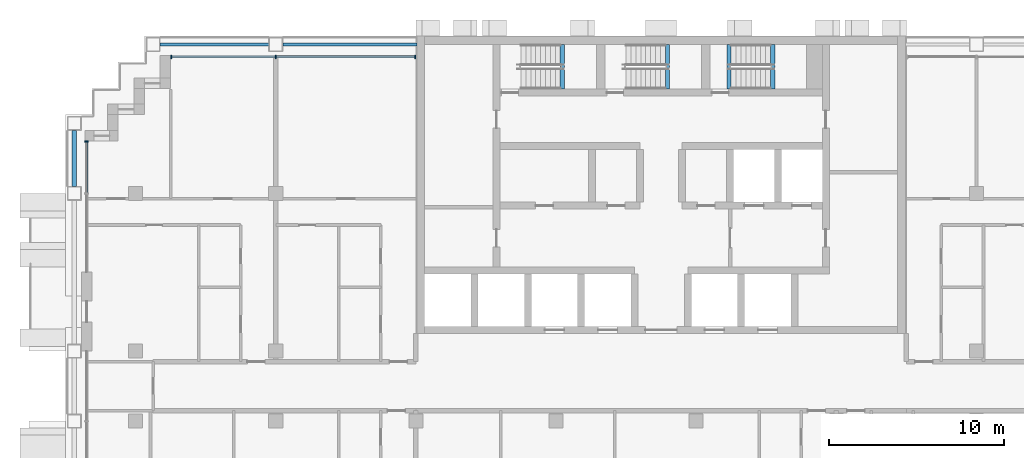
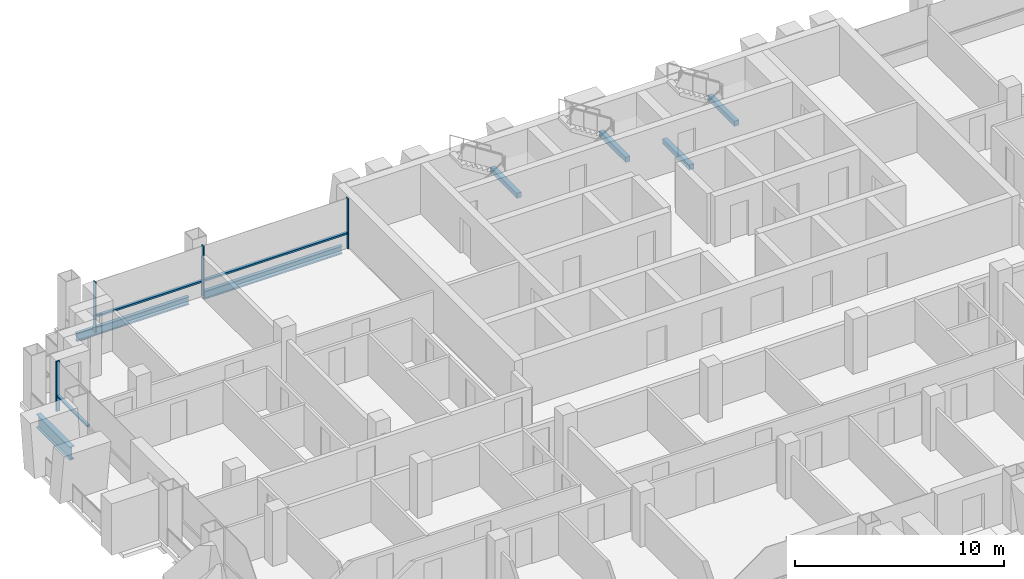
# One storey, part 4 of 18: 7 beams, 7 members, 2 elements without a shape of their own.
"""IFC4 building model written with IfcOpenShell, lengths in metres."""

from ifc_helpers import new_model, si_unit, direction, frame, origin, origin_2d, place, context, subcontext, project, spatial, rectangle, i_section, extrude, material, material_profile, profile_set, type_object, element, aggregate, save


model = new_model("IFC4")

# Units and contexts
model_context = context("Model", 3, precision=1e-05, world=origin(), true_north=direction((0.0, 1.0)))
body_context = subcontext(model_context, "Body", "Model", "MODEL_VIEW")
ifc_project = project(units=[si_unit("LENGTHUNIT", "METRE"), si_unit("AREAUNIT", "SQUARE_METRE"), si_unit("VOLUMEUNIT", "CUBIC_METRE"), si_unit("PLANEANGLEUNIT", "RADIAN"), si_unit("MASSUNIT", "GRAM", prefix="KILO")], contexts=[model_context])

# Site, building, storey
site_placement = place(None, origin())
site = spatial("IfcSite", under=ifc_project, at=site_placement, CompositionType="ELEMENT")
building_placement = place(site_placement, origin())
building = spatial("IfcBuilding", under=site, at=building_placement, Name="Vidyagriha Tower", CompositionType="ELEMENT")
storey_placement = place(building_placement, frame((0.0, 0.0, 142.199951171875)))
storey = spatial("IfcBuildingStorey", under=building, at=storey_placement, Name="L37", CompositionType="ELEMENT", Elevation=142.199951171875)

# Beams
ifc_material_1 = material(Name="Steel ASTM A992 Grade 50", Category="steel")
ifc_material_profile_1 = material_profile(ifc_material_1, i_section(OverallWidth=0.2666015625, OverallDepth=0.76953125, WebThickness=0.015625, FlangeThickness=0.025390625, at=origin_2d()), Name="W30X132")
ifc_profile_set_1 = profile_set([ifc_material_profile_1], Name="Steel ASTM A992 Grade 50")
beam_type_1 = type_object("IfcBeamType", Name="Cantilever edge beam W30X132", PredefinedType="SPANDREL", material=ifc_profile_set_1)
beam_1_placement = place(storey_placement, frame((-33.5, 11.39990234375, -0.664794921875), z_axis=(0.0, 1.0, 0.0), x_axis=(-1.0, 0.0, 0.0)))
element("IfcBeam", 1, at=beam_1_placement, inside=storey, type_object=beam_type_1, Name="st-beam-L37-W13", PredefinedType="SPANDREL", context=body_context, shape_type="SweptSolid", body=[
    extrude(i_section(OverallWidth=0.2666015625, OverallDepth=0.76953125, WebThickness=0.015625, FlangeThickness=0.025390625, at=origin_2d()), origin(), (0.0, 0.0, 1.0), 3.2001953125),
])
ifc_material_2 = material(Name="Steel ASTM A992 Grade 50", Category="steel")
ifc_material_profile_2 = material_profile(ifc_material_2, i_section(OverallWidth=0.19189453125, OverallDepth=0.46240234375, WebThickness=0.010498046875, FlangeThickness=0.017578125, at=origin_2d()), Name="W18X60")
ifc_profile_set_2 = profile_set([ifc_material_profile_2], Name="Steel ASTM A992 Grade 50")
beam_type_2 = type_object("IfcBeamType", Name="Edge beam W18X60", PredefinedType="SPANDREL", material=ifc_profile_set_2)
beam_2_placement = place(storey_placement, frame((-28.60009765625, 19.5, -0.510986328125), z_axis=(1.0, 0.0, 0.0), x_axis=(0.0, 1.0, 0.0)))
element("IfcBeam", 2, at=beam_2_placement, inside=storey, type_object=beam_type_2, Name="st-beam-L37-NW19", PredefinedType="SPANDREL", context=body_context, shape_type="SweptSolid", body=[
    extrude(i_section(OverallWidth=0.19189453125, OverallDepth=0.46240234375, WebThickness=0.010498046875, FlangeThickness=0.017578125, at=origin_2d()), origin(), (0.0, 0.0, 1.0), 6.2001953125),
])
beam_3_placement = place(storey_placement, frame((-21.60009765625, 19.5, -0.510986328125), z_axis=(1.0, 0.0, 0.0), x_axis=(0.0, 1.0, 0.0)))
element("IfcBeam", 3, at=beam_3_placement, inside=storey, type_object=beam_type_2, Name="st-beam-L37-NC22", PredefinedType="SPANDREL", context=body_context, shape_type="SweptSolid", body=[
    extrude(i_section(OverallWidth=0.19189453125, OverallDepth=0.46240234375, WebThickness=0.010498046875, FlangeThickness=0.017578125, at=origin_2d()), origin(), (0.0, 0.0, 1.0), 7.650146484375),
])

# Curtain wall, members
ifc_material_3 = material(Name="Aluminium and glass curtain wall", Category="aluminium")
curtain_wall_type = type_object("IfcCurtainWallType", Name="Dwelling skin unitised curtain wall", PredefinedType="USERDEFINED", material=ifc_material_3)
curtain_wall_1_placement = place(storey_placement, origin())
curtain_wall_1 = element("IfcCurtainWall", 4, at=curtain_wall_1_placement, inside=storey, type_object=curtain_wall_type, Name="CW1 dwelling skin", ObjectType="UNITISED", PredefinedType="USERDEFINED")
ifc_material_4 = material(Name="Aluminium black anodised", Category="aluminium")
ifc_material_profile_3 = material_profile(ifc_material_4, rectangle(XDim=0.199951171875, YDim=0.070068359375, at=origin_2d()), Name="Mullion 70x200 black aluminium")
ifc_profile_set_3 = profile_set([ifc_material_profile_3], Name="Aluminium black anodised")
member_type_1 = type_object("IfcMemberType", Name="Mullion 70x200 black aluminium", PredefinedType="MULLION", material=ifc_profile_set_3)
member_1_placement = place(storey_placement, frame((-14.034912109375, 18.800048828125, 0.0), z_axis=(0.0, 0.0, 1.0), x_axis=(0.0, -1.0, 0.0)))
member_1 = element("IfcMember", 5, at=member_1_placement, type_object=member_type_1, Name="CW1 mullion 1", PredefinedType="MULLION", context=body_context, shape_type="SweptSolid", body=[
    extrude(rectangle(XDim=0.199951171875, YDim=0.070068359375, at=origin_2d()), origin(), (0.0, 0.0, 1.0), 2.920166015625),
])
member_2_placement = place(storey_placement, frame((-22.0, 18.800048828125, 0.0), z_axis=(0.0, 0.0, 1.0), x_axis=(0.0, -1.0, 0.0)))
member_2 = element("IfcMember", 6, at=member_2_placement, type_object=member_type_1, Name="CW1 mullion 2", PredefinedType="MULLION", context=body_context, shape_type="SweptSolid", body=[
    extrude(rectangle(XDim=0.199951171875, YDim=0.070068359375, at=origin_2d()), origin(), (0.0, 0.0, 1.0), 2.920166015625),
])
member_3_placement = place(storey_placement, frame((-27.965087890625, 18.800048828125, 0.0), z_axis=(0.0, 0.0, 1.0), x_axis=(0.0, -1.0, 0.0)))
member_3 = element("IfcMember", 7, at=member_3_placement, type_object=member_type_1, Name="CW1 mullion 3", PredefinedType="MULLION", context=body_context, shape_type="SweptSolid", body=[
    extrude(rectangle(XDim=0.199951171875, YDim=0.070068359375, at=origin_2d()), origin(), (0.0, 0.0, 1.0), 2.920166015625),
])

# Curtain wall, member
curtain_wall_2_placement = place(storey_placement, origin())
curtain_wall_2 = element("IfcCurtainWall", 8, at=curtain_wall_2_placement, inside=storey, type_object=curtain_wall_type, Name="CW1 dwelling skin", ObjectType="UNITISED", PredefinedType="USERDEFINED")
member_4_placement = place(storey_placement, frame((-32.800048828125, 13.965087890625, 0.0)))
member_4 = element("IfcMember", 9, at=member_4_placement, type_object=member_type_1, Name="CW1 mullion 1", PredefinedType="MULLION", context=body_context, shape_type="SweptSolid", body=[
    extrude(rectangle(XDim=0.199951171875, YDim=0.070068359375, at=origin_2d()), origin(), (0.0, 0.0, 1.0), 2.920166015625),
])

# Beams
ifc_material_5 = material(Name="Concrete C40/50", Category="concrete")
ifc_material_profile_4 = material_profile(ifc_material_5, rectangle(XDim=0.25, YDim=0.300048828125, at=origin_2d()), Name="Stair landing bearing beam 250x300")
ifc_profile_set_4 = profile_set([ifc_material_profile_4], Name="Concrete C40/50")
beam_type_3 = type_object("IfcBeamType", Name="Stair landing bearing beam 250x300", PredefinedType="BEAM", material=ifc_profile_set_4)
for number, where, z_axis, x_axis, name in (
    (10, (3.875, 16.949951171875, -0.429931640625), (0.0, 1.0, 0.0), (-1.0, 0.0, 0.0), "ST3 floor landing bearing beam L37"),
    (11, (-5.635009765625, 16.949951171875, 1.25), (0.0, 1.0, 0.0), (-1.0, 0.0, 0.0), "ST1 landing bearing beam L37"),
    (12, (0.364990234375, 16.949951171875, 1.25), (0.0, 1.0, 0.0), (-1.0, 0.0, 0.0), "ST2 landing bearing beam L37"),
    (13, (6.364990234375, 16.949951171875, 1.25), (0.0, 1.0, 0.0), (-1.0, 0.0, 0.0), "ST3 landing bearing beam L37"),
):
    element("IfcBeam", number, at=place(storey_placement, frame(where, z_axis=z_axis, x_axis=x_axis)), inside=storey, type_object=beam_type_3, Name=name, PredefinedType="BEAM", context=body_context, shape_type="SweptSolid", body=[
        extrude(rectangle(XDim=0.25, YDim=0.300048828125, at=origin_2d()), origin(), (0.0, 0.0, 1.0), 2.550048828125),
    ])

# Member
ifc_material_6 = material(Name="Aluminium black anodised", Category="aluminium")
ifc_material_profile_5 = material_profile(ifc_material_6, rectangle(XDim=0.159912109375, YDim=0.10009765625, at=origin_2d()), Name="Transom 100x160 black aluminium")
ifc_profile_set_5 = profile_set([ifc_material_profile_5], Name="Aluminium black anodised")
member_type_2 = type_object("IfcMemberType", Name="Transom 100x160 black aluminium", PredefinedType="USERDEFINED", material=ifc_profile_set_5)
member_5_placement = place(storey_placement, frame((-14.070068359375, 18.800048828125, 0.900146484375), z_axis=(-1.0, 0.0, 0.0), x_axis=(0.0, -1.0, 0.0)))
member_5 = element("IfcMember", 14, at=member_5_placement, type_object=member_type_2, Name="CW1 transom 1.1", ObjectType="TRANSOM", PredefinedType="USERDEFINED", context=body_context, shape_type="SweptSolid", body=[
    extrude(rectangle(XDim=0.159912109375, YDim=0.10009765625, at=origin_2d()), origin(), (0.0, 0.0, 1.0), 7.89501953125),
])

member_6_placement = place(storey_placement, frame((-22.034912109375, 18.800048828125, 0.900146484375), z_axis=(-1.0, 0.0, 0.0), x_axis=(0.0, -1.0, 0.0)))
member_6 = element("IfcMember", 15, at=member_6_placement, type_object=member_type_2, Name="CW1 transom 2.1", ObjectType="TRANSOM", PredefinedType="USERDEFINED", context=body_context, shape_type="SweptSolid", body=[
    extrude(rectangle(XDim=0.159912109375, YDim=0.10009765625, at=origin_2d()), origin(), (0.0, 0.0, 1.0), 5.89501953125),
])

aggregate(curtain_wall_1, [member_1, member_2, member_3, member_5, member_6])

member_7_placement = place(storey_placement, frame((-32.800048828125, 13.929931640625, 0.900146484375), z_axis=(0.0, -1.0, 0.0), x_axis=(1.0, 0.0, 0.0)))
member_7 = element("IfcMember", 16, at=member_7_placement, type_object=member_type_2, Name="CW1 transom 1.1", ObjectType="TRANSOM", PredefinedType="USERDEFINED", context=body_context, shape_type="SweptSolid", body=[
    extrude(rectangle(XDim=0.159912109375, YDim=0.10009765625, at=origin_2d()), origin(), (0.0, 0.0, 1.0), 2.89501953125),
])

aggregate(curtain_wall_2, [member_4, member_7])

save(model, "model.ifc")
